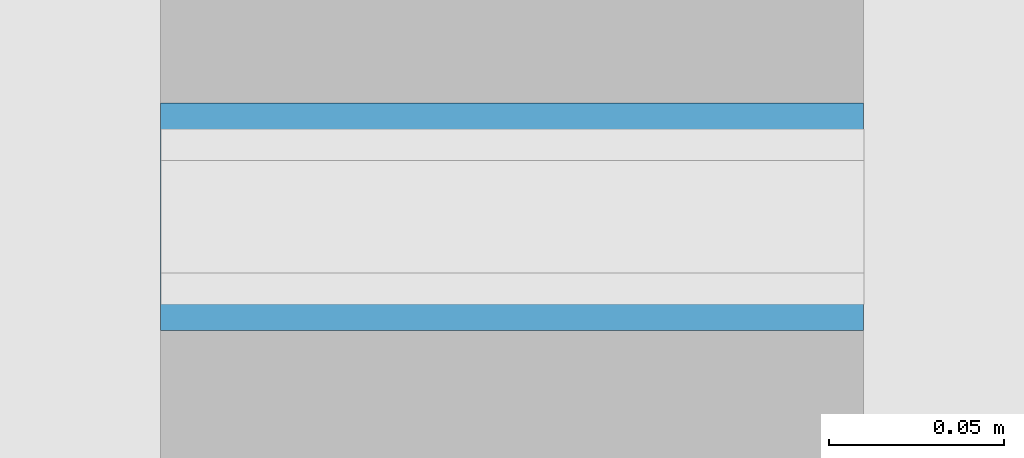
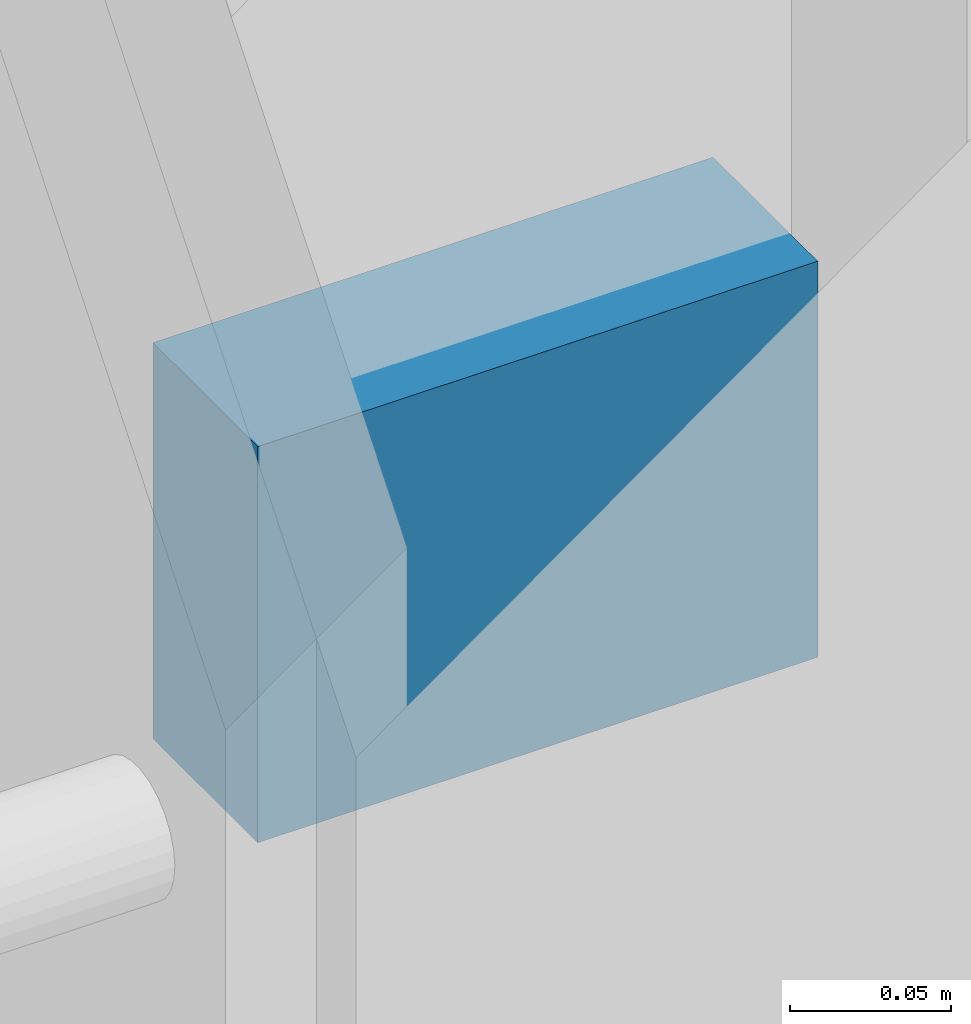
# One storey, part 6 of 15: 1 member, 1 element without a shape of its own.
"""IFC4 building model written with IfcOpenShell, lengths in metres."""

import ifcopenshell
import ifcopenshell.guid

model = None  # the IFC model being written
_history = None  # IfcOwnerHistory: only IFC2X3 demands one
_inside = {}  # id of a spatial element -> (the spatial element, [elements in it])
_under = {}  # id of a project, library or spatial element -> (it, [spatial elements below it])
_declared = {}  # id of a project -> (the project, [libraries it declares])
_typed = {}  # id of a type object -> (the type object, [elements of that type])
_made_of = {}  # id of a material, layer set ... -> (it, [elements and type objects made of it])


def new_model(schema):
    """Start an empty IFC model of exactly this schema.

    Asked for "IFC4X3", IfcOpenShell would pick the latest addendum, in which some entities
    have other attributes; the version numbers below select the first issue.
    IFC2X3 requires an IfcOwnerHistory on every rooted entity: one is made here for all.
    """
    global model, _history
    if schema == "IFC4X3":
        model = ifcopenshell.file(schema_version=(4, 3, 0, 0))
    else:
        model = ifcopenshell.file(schema=schema)
    _inside.clear()
    _under.clear()
    _declared.clear()
    _typed.clear()
    _made_of.clear()
    _history = None
    if model.schema == "IFC2X3":
        org = make("IfcOrganization", Name="unknown")
        user = make(
            "IfcPersonAndOrganization",
            ThePerson=make("IfcPerson", FamilyName="unknown"),
            TheOrganization=org,
        )
        app = make(
            "IfcApplication",
            ApplicationDeveloper=org,
            Version="unknown",
            ApplicationFullName="unknown",
            ApplicationIdentifier="unknown",
        )
        _history = make(
            "IfcOwnerHistory",
            OwningUser=user,
            OwningApplication=app,
            ChangeAction="ADDED",
            CreationDate=0,
        )
    return model


def make(cls, **values):
    """One entity of the class cls with the attributes given. An attribute that is None is left unset."""
    return model.create_entity(
        cls, **{name: value for name, value in values.items() if value is not None}
    )


def rooted(cls, **values):
    """An entity with a GlobalId (a new one), such as an element, a storey or a relation."""
    return make(cls, GlobalId=ifcopenshell.guid.new(), OwnerHistory=_history, **values)


def si_unit(unit_type, name, prefix=None):
    """IfcSIUnit, for example si_unit("LENGTHUNIT", "METRE", prefix="MILLI")."""
    return make("IfcSIUnit", UnitType=unit_type, Prefix=prefix, Name=name)


def assignment(units):
    """IfcUnitAssignment: the units of a project."""
    return None if units is None else make("IfcUnitAssignment", Units=units)


def point(xyz):
    """IfcCartesianPoint."""
    return None if xyz is None else make("IfcCartesianPoint", Coordinates=xyz)


def direction(xyz):
    """IfcDirection."""
    return None if xyz is None else make("IfcDirection", DirectionRatios=xyz)


def frame(location, z_axis=None, x_axis=None):
    """IfcAxis2Placement3D, a coordinate frame: its origin and axes. An axis left out is left unset."""
    return make(
        "IfcAxis2Placement3D",
        Location=point(location),
        Axis=direction(z_axis),
        RefDirection=direction(x_axis),
    )


def frame_2d(location, x_axis=None):
    """IfcAxis2Placement2D, a coordinate frame in the plane: its origin and x axis."""
    return make(
        "IfcAxis2Placement2D", Location=point(location), RefDirection=direction(x_axis)
    )


def origin():
    """The frame at (0, 0, 0) with its axes left unset."""
    return frame((0.0, 0.0, 0.0))


def origin_2d():
    """The frame at (0, 0) in the plane with its x axis left unset."""
    return frame_2d((0.0, 0.0))


def place(relative_to, where):
    """IfcLocalPlacement: puts the frame where relative to a parent placement (None: the world)."""
    return make(
        "IfcLocalPlacement", PlacementRelTo=relative_to, RelativePlacement=where
    )


def context(
    kind, dimensions, precision=None, world=None, true_north=None, identifier=None
):
    """IfcGeometricRepresentationContext, for example the 3D "Model" context."""
    return make(
        "IfcGeometricRepresentationContext",
        ContextIdentifier=identifier,
        ContextType=kind,
        CoordinateSpaceDimension=dimensions,
        Precision=precision,
        WorldCoordinateSystem=world,
        TrueNorth=true_north,
    )


def subcontext(parent, identifier, kind, view, scale=None):
    """IfcGeometricRepresentationSubContext, for example "Body" below "Model"."""
    return make(
        "IfcGeometricRepresentationSubContext",
        ContextIdentifier=identifier,
        ContextType=kind,
        ParentContext=parent,
        TargetScale=scale,
        TargetView=view,
    )


def project(units=None, contexts=None):
    """IfcProject with its units and contexts."""
    return rooted(
        "IfcProject",
        Name="project",
        RepresentationContexts=contexts,
        UnitsInContext=assignment(units),
    )


def spatial(cls, under=None, at=None, **own):
    """A site, building, storey or space (cls), placed at a placement, below another one or the project."""
    s = rooted(cls, ObjectPlacement=at, **own)
    if under is not None:
        _under.setdefault(under.id(), (under, []))[1].append(s)
    return s


def profile(cls, at=None, kind="AREA", **sizes):
    """A parametric profile (cls). Its sizes go by their IFC names, for example OverallWidth=200.0."""
    return make(cls, ProfileType=kind, Position=at, **sizes)


def rectangle(**sizes):
    """IfcRectangleProfileDef."""
    return profile("IfcRectangleProfileDef", **sizes)


def extrude(swept, where, along, depth):
    """IfcExtrudedAreaSolid: the profile swept, set in the frame where, extruded along a direction by depth."""
    return make(
        "IfcExtrudedAreaSolid",
        SweptArea=swept,
        Position=where,
        ExtrudedDirection=direction(along),
        Depth=depth,
    )


def shape(context_of_items, identifier, shape_type, items):
    """IfcShapeRepresentation: the items that make up one representation, for example the "Body"."""
    return make(
        "IfcShapeRepresentation",
        ContextOfItems=context_of_items,
        RepresentationIdentifier=identifier,
        RepresentationType=shape_type,
        Items=items,
    )


def material(Name=None, Category=None):
    """IfcMaterial."""
    return make("IfcMaterial", Name=Name, Category=Category)


def material_profile(
    of_material, cross_section, Name=None, Category=None, Priority=None
):
    """IfcMaterialProfile: a cross section and its material."""
    return make(
        "IfcMaterialProfile",
        Name=Name,
        Material=of_material,
        Profile=cross_section,
        Priority=Priority,
        Category=Category,
    )


def profile_set(profiles, Name=None, composite=None):
    """IfcMaterialProfileSet."""
    return make(
        "IfcMaterialProfileSet",
        Name=Name,
        MaterialProfiles=profiles,
        CompositeProfile=composite,
    )


def made_of(thing, what):
    """Note that an element or type object is made of a material, layer set ...; save() writes the relation."""
    if what is not None:
        _made_of.setdefault(what.id(), (what, []))[1].append(thing)
    return thing


def type_object(cls, material=None, **own):
    """A type object (cls), such as IfcWallType, which elements share."""
    return made_of(rooted(cls, **own), material)


def element(
    cls,
    number,
    at=None,
    inside=None,
    cuts=None,
    type_object=None,
    material=None,
    context=None,
    identifier="Body",
    shape_type=None,
    held_by="IfcProductDefinitionShape",
    body=None,
    shapes=None,
    **own,
):
    """One element of the class cls, such as IfcWall. Its Tag is "e" and its number.

    at: its placement. inside: the storey or other place that contains it. cuts: it is an
    opening in that element (IfcRelVoidsElement). A single representation is given by context,
    identifier, shape_type and body (its items); several are given by shapes. held_by: the class
    of the entity that holds the representations. save() writes the other relations.
    """
    e = rooted(cls, Tag="e%d" % number, ObjectPlacement=at, **own)
    if body is not None:
        shapes = [shape(context, identifier, shape_type, body)]
    if shapes is not None:
        e.Representation = make(held_by, Representations=shapes)
    if inside is not None:
        _inside.setdefault(inside.id(), (inside, []))[1].append(e)
    if cuts is not None:
        rooted(
            "IfcRelVoidsElement", RelatingBuildingElement=cuts, RelatedOpeningElement=e
        )
    if type_object is not None:
        _typed.setdefault(type_object.id(), (type_object, []))[1].append(e)
    return made_of(e, material)


def aggregate(whole, parts):
    """IfcRelAggregates: a whole, such as a stair, and the parts it consists of."""
    return rooted("IfcRelAggregates", RelatingObject=whole, RelatedObjects=parts)


def save(model, path):
    """Write the relations noted so far, then the file.

    IfcRelAggregates (storeys below a building ...), IfcRelContainedInSpatialStructure (elements
    in a storey), IfcRelDefinesByType, IfcRelAssociatesMaterial and IfcRelDeclares: one each for
    every whole, place, type object, material and project.
    """
    for whole, parts in _under.values():
        aggregate(whole, parts)
    for where, things in _inside.values():
        rooted(
            "IfcRelContainedInSpatialStructure",
            RelatedElements=things,
            RelatingStructure=where,
        )
    for kind, things in _typed.values():
        rooted("IfcRelDefinesByType", RelatedObjects=things, RelatingType=kind)
    for what, things in _made_of.values():
        rooted("IfcRelAssociatesMaterial", RelatedObjects=things, RelatingMaterial=what)
    for by, libraries in _declared.values():
        rooted("IfcRelDeclares", RelatingContext=by, RelatedDefinitions=libraries)
    model.write(path)


model = new_model("IFC4")

# Units and contexts
model_context = context("Model", 3, precision=1e-05, world=origin(), true_north=direction((0.0, 1.0)))
body_context = subcontext(model_context, "Body", "Model", "MODEL_VIEW")
ifc_project = project(units=[si_unit("LENGTHUNIT", "METRE"), si_unit("AREAUNIT", "SQUARE_METRE"), si_unit("VOLUMEUNIT", "CUBIC_METRE"), si_unit("PLANEANGLEUNIT", "RADIAN"), si_unit("MASSUNIT", "GRAM", prefix="KILO")], contexts=[model_context])

# Site, building, storey
site_placement = place(None, origin())
site = spatial("IfcSite", under=ifc_project, at=site_placement, CompositionType="ELEMENT")
building_placement = place(site_placement, origin())
building = spatial("IfcBuilding", under=site, at=building_placement, Name="Turquesa Mirador Hotel Tower", CompositionType="ELEMENT")
storey_placement = place(building_placement, frame((0.0, 0.0, 20.5)))
storey = spatial("IfcBuildingStorey", under=building, at=storey_placement, Name="L04", CompositionType="ELEMENT", Elevation=20.5)

# Curtain wall, member
ifc_material_1 = material(Name="Aluminium extrusion", Category="aluminium")
curtain_wall_type = type_object("IfcCurtainWallType", Name="CW-3 PODIUM UPPER CURTAIN WALL", PredefinedType="USERDEFINED", material=ifc_material_1)
curtain_wall_placement = place(storey_placement, origin())
curtain_wall = element("IfcCurtainWall", 1, at=curtain_wall_placement, inside=storey, type_object=curtain_wall_type, Name="CW-3 PODIUM UPPER CURTAIN WALL L04", ObjectType="CURTAIN WALL", PredefinedType="USERDEFINED")
ifc_material_2 = material(Name="Aluminium extrusion", Category="aluminium")
ifc_material_profile = material_profile(ifc_material_2, rectangle(XDim=0.06494140625, YDim=0.14990234375, at=origin_2d()), Name="TRANSOM 65X150")
ifc_profile_set = profile_set([ifc_material_profile], Name="Aluminium extrusion")
member_type = type_object("IfcMemberType", Name="CW TRANSOM 65X150", PredefinedType="USERDEFINED", material=ifc_profile_set)
member_placement = place(storey_placement, frame((31.032470703125, 21.64990234375, 1.10009765625), z_axis=(1.0, 0.0, 0.0), x_axis=(0.0, 1.0, 0.0)))
member = element("IfcMember", 2, at=member_placement, type_object=member_type, Name="Transom", ObjectType="TRANSOM", PredefinedType="USERDEFINED", context=body_context, shape_type="SweptSolid", body=[
    extrude(rectangle(XDim=0.06494140625, YDim=0.14990234375, at=origin_2d()), origin(), (0.0, 0.0, 1.0), 0.200439453125),
])
aggregate(curtain_wall, [member])

save(model, "model.ifc")
